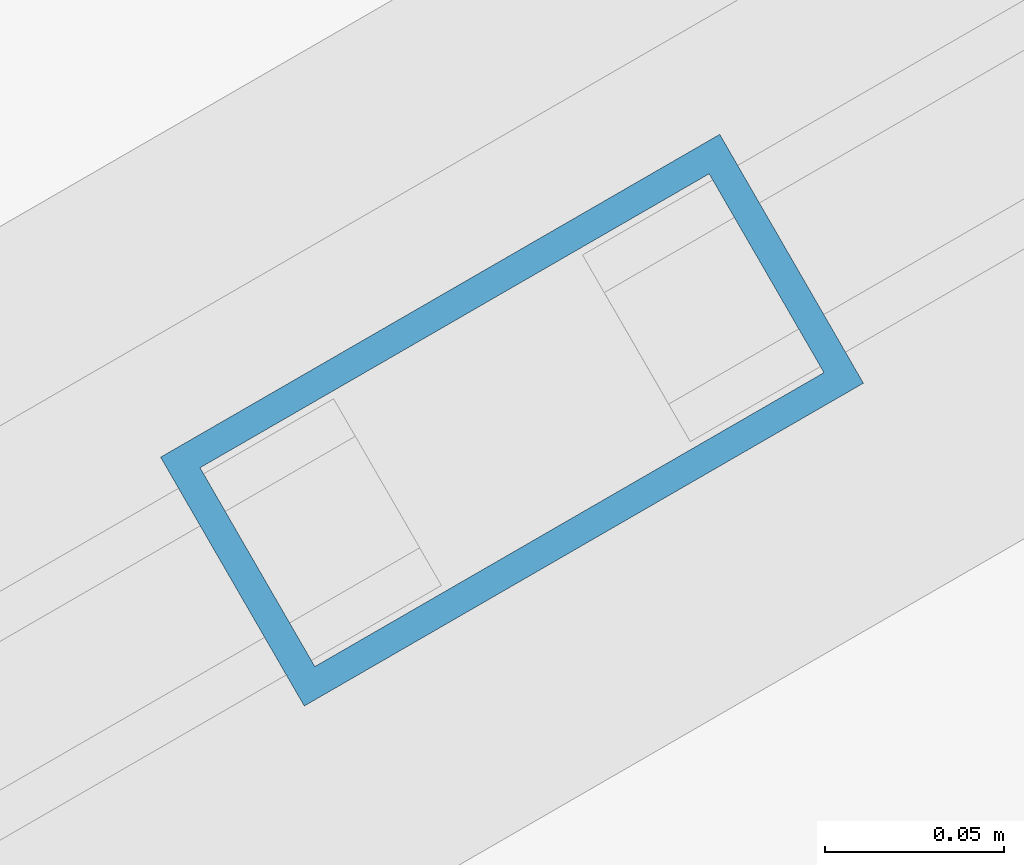
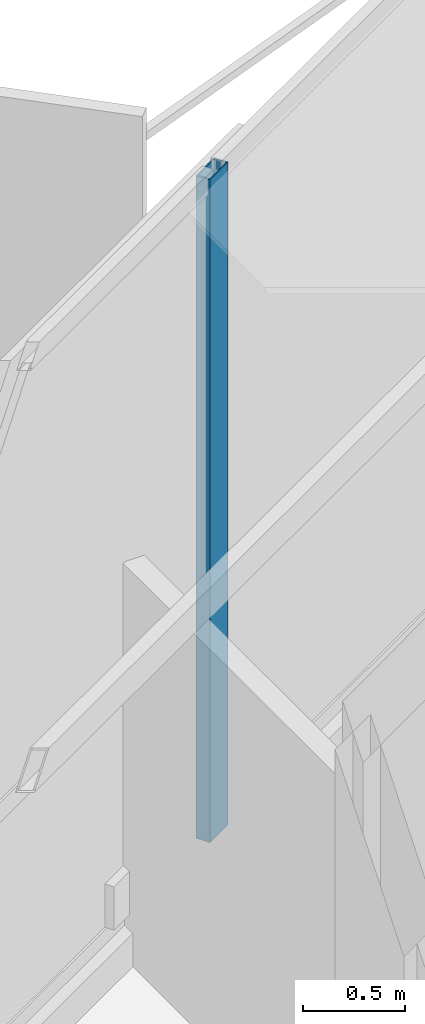
# One storey, part 10 of 20: 1 member, 1 element without a shape of its own.
"""IFC4 building model written with IfcOpenShell, lengths in metres."""

import ifcopenshell
import ifcopenshell.guid

model = None  # the IFC model being written
_history = None  # IfcOwnerHistory: only IFC2X3 demands one
_inside = {}  # id of a spatial element -> (the spatial element, [elements in it])
_under = {}  # id of a project, library or spatial element -> (it, [spatial elements below it])
_declared = {}  # id of a project -> (the project, [libraries it declares])
_typed = {}  # id of a type object -> (the type object, [elements of that type])
_made_of = {}  # id of a material, layer set ... -> (it, [elements and type objects made of it])


def new_model(schema):
    """Start an empty IFC model of exactly this schema.

    Asked for "IFC4X3", IfcOpenShell would pick the latest addendum, in which some entities
    have other attributes; the version numbers below select the first issue.
    IFC2X3 requires an IfcOwnerHistory on every rooted entity: one is made here for all.
    """
    global model, _history
    if schema == "IFC4X3":
        model = ifcopenshell.file(schema_version=(4, 3, 0, 0))
    else:
        model = ifcopenshell.file(schema=schema)
    _inside.clear()
    _under.clear()
    _declared.clear()
    _typed.clear()
    _made_of.clear()
    _history = None
    if model.schema == "IFC2X3":
        org = make("IfcOrganization", Name="unknown")
        user = make(
            "IfcPersonAndOrganization",
            ThePerson=make("IfcPerson", FamilyName="unknown"),
            TheOrganization=org,
        )
        app = make(
            "IfcApplication",
            ApplicationDeveloper=org,
            Version="unknown",
            ApplicationFullName="unknown",
            ApplicationIdentifier="unknown",
        )
        _history = make(
            "IfcOwnerHistory",
            OwningUser=user,
            OwningApplication=app,
            ChangeAction="ADDED",
            CreationDate=0,
        )
    return model


def make(cls, **values):
    """One entity of the class cls with the attributes given. An attribute that is None is left unset."""
    return model.create_entity(
        cls, **{name: value for name, value in values.items() if value is not None}
    )


def rooted(cls, **values):
    """An entity with a GlobalId (a new one), such as an element, a storey or a relation."""
    return make(cls, GlobalId=ifcopenshell.guid.new(), OwnerHistory=_history, **values)


def si_unit(unit_type, name, prefix=None):
    """IfcSIUnit, for example si_unit("LENGTHUNIT", "METRE", prefix="MILLI")."""
    return make("IfcSIUnit", UnitType=unit_type, Prefix=prefix, Name=name)


def assignment(units):
    """IfcUnitAssignment: the units of a project."""
    return None if units is None else make("IfcUnitAssignment", Units=units)


def point(xyz):
    """IfcCartesianPoint."""
    return None if xyz is None else make("IfcCartesianPoint", Coordinates=xyz)


def direction(xyz):
    """IfcDirection."""
    return None if xyz is None else make("IfcDirection", DirectionRatios=xyz)


def frame(location, z_axis=None, x_axis=None):
    """IfcAxis2Placement3D, a coordinate frame: its origin and axes. An axis left out is left unset."""
    return make(
        "IfcAxis2Placement3D",
        Location=point(location),
        Axis=direction(z_axis),
        RefDirection=direction(x_axis),
    )


def frame_2d(location, x_axis=None):
    """IfcAxis2Placement2D, a coordinate frame in the plane: its origin and x axis."""
    return make(
        "IfcAxis2Placement2D", Location=point(location), RefDirection=direction(x_axis)
    )


def origin():
    """The frame at (0, 0, 0) with its axes left unset."""
    return frame((0.0, 0.0, 0.0))


def origin_2d():
    """The frame at (0, 0) in the plane with its x axis left unset."""
    return frame_2d((0.0, 0.0))


def place(relative_to, where):
    """IfcLocalPlacement: puts the frame where relative to a parent placement (None: the world)."""
    return make(
        "IfcLocalPlacement", PlacementRelTo=relative_to, RelativePlacement=where
    )


def context(
    kind, dimensions, precision=None, world=None, true_north=None, identifier=None
):
    """IfcGeometricRepresentationContext, for example the 3D "Model" context."""
    return make(
        "IfcGeometricRepresentationContext",
        ContextIdentifier=identifier,
        ContextType=kind,
        CoordinateSpaceDimension=dimensions,
        Precision=precision,
        WorldCoordinateSystem=world,
        TrueNorth=true_north,
    )


def subcontext(parent, identifier, kind, view, scale=None):
    """IfcGeometricRepresentationSubContext, for example "Body" below "Model"."""
    return make(
        "IfcGeometricRepresentationSubContext",
        ContextIdentifier=identifier,
        ContextType=kind,
        ParentContext=parent,
        TargetScale=scale,
        TargetView=view,
    )


def project(units=None, contexts=None):
    """IfcProject with its units and contexts."""
    return rooted(
        "IfcProject",
        Name="project",
        RepresentationContexts=contexts,
        UnitsInContext=assignment(units),
    )


def spatial(cls, under=None, at=None, **own):
    """A site, building, storey or space (cls), placed at a placement, below another one or the project."""
    s = rooted(cls, ObjectPlacement=at, **own)
    if under is not None:
        _under.setdefault(under.id(), (under, []))[1].append(s)
    return s


def profile(cls, at=None, kind="AREA", **sizes):
    """A parametric profile (cls). Its sizes go by their IFC names, for example OverallWidth=200.0."""
    return make(cls, ProfileType=kind, Position=at, **sizes)


def hollow_rectangle(**sizes):
    """IfcRectangleHollowProfileDef."""
    return profile("IfcRectangleHollowProfileDef", **sizes)


def extrude(swept, where, along, depth):
    """IfcExtrudedAreaSolid: the profile swept, set in the frame where, extruded along a direction by depth."""
    return make(
        "IfcExtrudedAreaSolid",
        SweptArea=swept,
        Position=where,
        ExtrudedDirection=direction(along),
        Depth=depth,
    )


def shape(context_of_items, identifier, shape_type, items):
    """IfcShapeRepresentation: the items that make up one representation, for example the "Body"."""
    return make(
        "IfcShapeRepresentation",
        ContextOfItems=context_of_items,
        RepresentationIdentifier=identifier,
        RepresentationType=shape_type,
        Items=items,
    )


def material(Name=None, Category=None):
    """IfcMaterial."""
    return make("IfcMaterial", Name=Name, Category=Category)


def layer(
    of_material, thickness, ventilated=None, Name=None, Category=None, Priority=None
):
    """IfcMaterialLayer: one layer of a wall or slab, of a material (None: an air gap)."""
    return make(
        "IfcMaterialLayer",
        Material=of_material,
        LayerThickness=thickness,
        IsVentilated=ventilated,
        Name=Name,
        Category=Category,
        Priority=Priority,
    )


def layer_set(layers, Name=None):
    """IfcMaterialLayerSet."""
    return make("IfcMaterialLayerSet", MaterialLayers=layers, LayerSetName=Name)


def material_profile(
    of_material, cross_section, Name=None, Category=None, Priority=None
):
    """IfcMaterialProfile: a cross section and its material."""
    return make(
        "IfcMaterialProfile",
        Name=Name,
        Material=of_material,
        Profile=cross_section,
        Priority=Priority,
        Category=Category,
    )


def profile_set(profiles, Name=None, composite=None):
    """IfcMaterialProfileSet."""
    return make(
        "IfcMaterialProfileSet",
        Name=Name,
        MaterialProfiles=profiles,
        CompositeProfile=composite,
    )


def made_of(thing, what):
    """Note that an element or type object is made of a material, layer set ...; save() writes the relation."""
    if what is not None:
        _made_of.setdefault(what.id(), (what, []))[1].append(thing)
    return thing


def type_object(cls, material=None, **own):
    """A type object (cls), such as IfcWallType, which elements share."""
    return made_of(rooted(cls, **own), material)


def element(
    cls,
    number,
    at=None,
    inside=None,
    cuts=None,
    type_object=None,
    material=None,
    context=None,
    identifier="Body",
    shape_type=None,
    held_by="IfcProductDefinitionShape",
    body=None,
    shapes=None,
    **own,
):
    """One element of the class cls, such as IfcWall. Its Tag is "e" and its number.

    at: its placement. inside: the storey or other place that contains it. cuts: it is an
    opening in that element (IfcRelVoidsElement). A single representation is given by context,
    identifier, shape_type and body (its items); several are given by shapes. held_by: the class
    of the entity that holds the representations. save() writes the other relations.
    """
    e = rooted(cls, Tag="e%d" % number, ObjectPlacement=at, **own)
    if body is not None:
        shapes = [shape(context, identifier, shape_type, body)]
    if shapes is not None:
        e.Representation = make(held_by, Representations=shapes)
    if inside is not None:
        _inside.setdefault(inside.id(), (inside, []))[1].append(e)
    if cuts is not None:
        rooted(
            "IfcRelVoidsElement", RelatingBuildingElement=cuts, RelatedOpeningElement=e
        )
    if type_object is not None:
        _typed.setdefault(type_object.id(), (type_object, []))[1].append(e)
    return made_of(e, material)


def aggregate(whole, parts):
    """IfcRelAggregates: a whole, such as a stair, and the parts it consists of."""
    return rooted("IfcRelAggregates", RelatingObject=whole, RelatedObjects=parts)


def save(model, path):
    """Write the relations noted so far, then the file.

    IfcRelAggregates (storeys below a building ...), IfcRelContainedInSpatialStructure (elements
    in a storey), IfcRelDefinesByType, IfcRelAssociatesMaterial and IfcRelDeclares: one each for
    every whole, place, type object, material and project.
    """
    for whole, parts in _under.values():
        aggregate(whole, parts)
    for where, things in _inside.values():
        rooted(
            "IfcRelContainedInSpatialStructure",
            RelatedElements=things,
            RelatingStructure=where,
        )
    for kind, things in _typed.values():
        rooted("IfcRelDefinesByType", RelatedObjects=things, RelatingType=kind)
    for what, things in _made_of.values():
        rooted("IfcRelAssociatesMaterial", RelatedObjects=things, RelatingMaterial=what)
    for by, libraries in _declared.values():
        rooted("IfcRelDeclares", RelatingContext=by, RelatedDefinitions=libraries)
    model.write(path)


model = new_model("IFC4")

# Units and contexts
model_context = context("Model", 3, precision=1e-05, world=origin(), true_north=direction((0.0, 1.0)))
body_context = subcontext(model_context, "Body", "Model", "MODEL_VIEW")
ifc_project = project(units=[si_unit("LENGTHUNIT", "METRE"), si_unit("AREAUNIT", "SQUARE_METRE"), si_unit("VOLUMEUNIT", "CUBIC_METRE"), si_unit("PLANEANGLEUNIT", "RADIAN"), si_unit("MASSUNIT", "GRAM", prefix="KILO")], contexts=[model_context])

# Site, building, storey
site_placement = place(None, origin())
site = spatial("IfcSite", under=ifc_project, at=site_placement, CompositionType="ELEMENT")
building_placement = place(site_placement, origin())
building = spatial("IfcBuilding", under=site, at=building_placement, Name="Mersakhor Tower and Convention Hall", CompositionType="ELEMENT")
storey_placement = place(building_placement, frame((0.0, 0.0, 116.39990234375)))
storey = spatial("IfcBuildingStorey", under=building, at=storey_placement, Name="L32", CompositionType="ELEMENT", Elevation=116.39990234375)

# Curtain wall, member
ifc_material_1 = material(Name="Dark solar low-E aluminium curtain wall", Category="aluminium")
ifc_layer = layer(ifc_material_1, 0.199951171875)
ifc_layer_set = layer_set([ifc_layer], Name="Dark solar low-E aluminium curtain wall")
curtain_wall_type = type_object("IfcCurtainWallType", Name="CW-SYS-05", PredefinedType="USERDEFINED", material=ifc_layer_set)
curtain_wall_placement = place(storey_placement, origin())
curtain_wall = element("IfcCurtainWall", 1, at=curtain_wall_placement, inside=storey, type_object=curtain_wall_type, Name="L32 Dark-Glass Curtain Wall F1-B2", ObjectType="CURTAIN WALL", PredefinedType="USERDEFINED")
ifc_material_2 = material(Name="Anodised aluminium EN AW-6063 T6", Category="aluminium")
ifc_material_profile = material_profile(ifc_material_2, hollow_rectangle(XDim=0.080078125, YDim=0.179931640625, WallThickness=0.008056640625, at=origin_2d()), Name="RHS 180x80x8")
ifc_profile_set = profile_set([ifc_material_profile], Name="Anodised aluminium EN AW-6063 T6")
member_type = type_object("IfcMemberType", Name="CWM-180x80", PredefinedType="MULLION", material=ifc_profile_set)
member_placement = place(storey_placement, frame((20.36181640625, 37.968505859375, 0.2001953125), z_axis=(0.0, 0.0, 1.0), x_axis=(-0.499997904985, 0.866026613339, 0.0)))
member = element("IfcMember", 2, at=member_placement, type_object=member_type, Name="CW-05 mullion 2", PredefinedType="MULLION", context=body_context, shape_type="SweptSolid", body=[
    extrude(hollow_rectangle(XDim=0.080078125, YDim=0.179931640625, WallThickness=0.008056640625, at=origin_2d()), origin(), (0.0, 0.0, 1.0), 3.97998046875),
])
aggregate(curtain_wall, [member])

save(model, "model.ifc")
